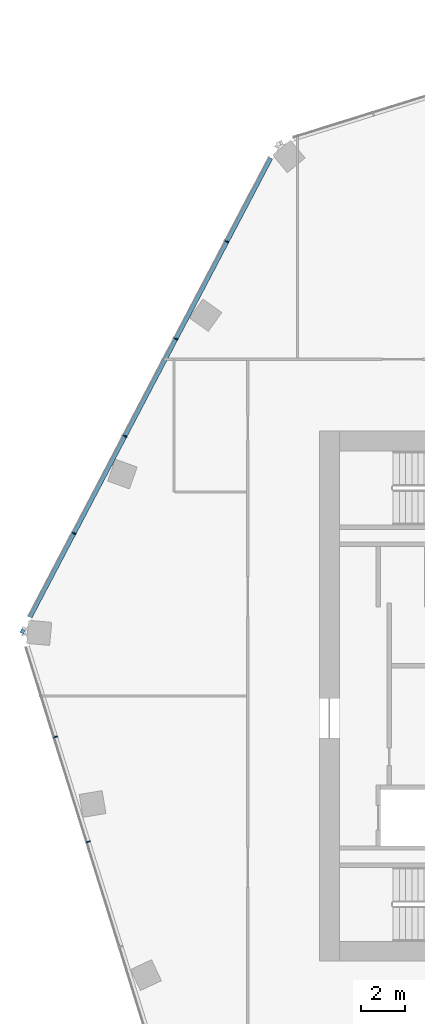
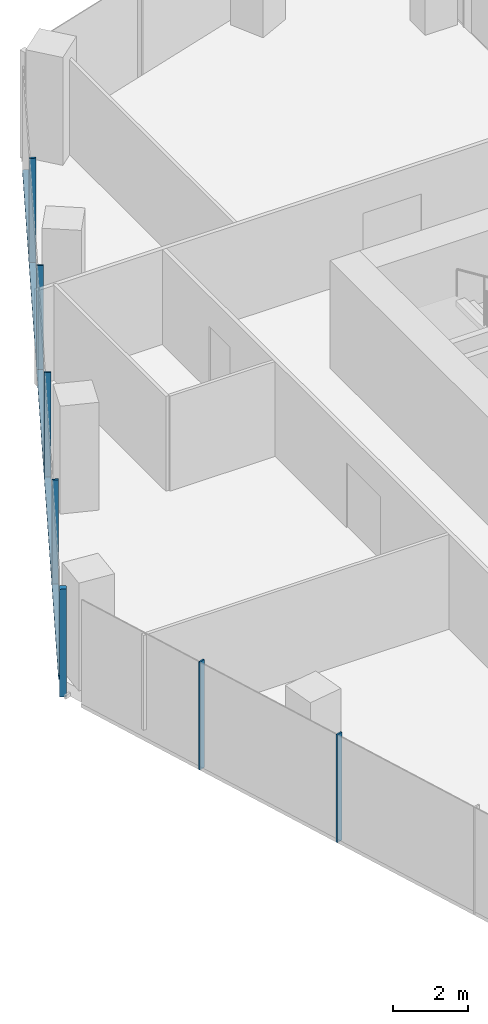
# One storey, part 5 of 23: 8 members, 2 elements without a shape of their own.
"""IFC4 building model written with IfcOpenShell, lengths in metres."""

from ifc_helpers import new_model, si_unit, direction, frame, origin, origin_2d, place, context, subcontext, project, spatial, rectangle, extrude, material, material_profile, profile_set, type_object, element, aggregate, save


model = new_model("IFC4")

# Units and contexts
model_context = context("Model", 3, precision=1e-05, world=origin(), true_north=direction((0.0, 1.0)))
body_context = subcontext(model_context, "Body", "Model", "MODEL_VIEW")
ifc_project = project(units=[si_unit("LENGTHUNIT", "METRE"), si_unit("AREAUNIT", "SQUARE_METRE"), si_unit("VOLUMEUNIT", "CUBIC_METRE"), si_unit("PLANEANGLEUNIT", "RADIAN"), si_unit("MASSUNIT", "GRAM", prefix="KILO")], contexts=[model_context])

# Site, building, storey
site_placement = place(None, origin())
site = spatial("IfcSite", under=ifc_project, at=site_placement, CompositionType="ELEMENT")
building_placement = place(site_placement, origin())
building = spatial("IfcBuilding", under=site, at=building_placement, Name="Orlundy Tower", CompositionType="ELEMENT")
storey_placement = place(building_placement, frame((0.0, 0.0, 257.0)))
storey = spatial("IfcBuildingStorey", under=building, at=storey_placement, Name="L68", CompositionType="ELEMENT", Elevation=257.0)

# Curtain wall, member
ifc_material_1 = material(Name="Aluminium bronze anodised", Category="aluminium")
curtain_wall_type = type_object("IfcCurtainWallType", Name="CW1 wall", PredefinedType="NOTDEFINED", material=ifc_material_1)
curtain_wall_1_placement = place(storey_placement, origin())
curtain_wall_1 = element("IfcCurtainWall", 1, at=curtain_wall_1_placement, inside=storey, type_object=curtain_wall_type, Name="CW1 run 02", PredefinedType="NOTDEFINED")
ifc_material_2 = material(Name="Aluminium bronze anodised", Category="aluminium")
ifc_material_profile_1 = material_profile(ifc_material_2, rectangle(XDim=0.179931640625, YDim=0.179931640625, at=origin_2d()), Name="CW1 corner post 180x180")
ifc_profile_set_1 = profile_set([ifc_material_profile_1], Name="Aluminium bronze anodised")
member_type_1 = type_object("IfcMemberType", Name="CW1 corner post 180x180", PredefinedType="MULLION", material=ifc_profile_set_1)
member_1_placement = place(storey_placement, frame((-32.43701171875, 2.932861328125, -0.39990234375), z_axis=(0.0, 0.0, 1.0), x_axis=(-0.885658998646, 0.464336233904, 0.0)))
member_1 = element("IfcMember", 2, at=member_1_placement, type_object=member_type_1, Name="CW1 mullion 8", PredefinedType="MULLION", context=body_context, shape_type="SweptSolid", body=[
    extrude(rectangle(XDim=0.179931640625, YDim=0.179931640625, at=origin_2d()), origin(), (0.0, 0.0, 1.0), 3.5),
])

# Curtain wall, members
curtain_wall_2_placement = place(storey_placement, origin())
curtain_wall_2 = element("IfcCurtainWall", 3, at=curtain_wall_2_placement, inside=storey, type_object=curtain_wall_type, Name="CW1 run 01", PredefinedType="NOTDEFINED")
ifc_material_3 = material(Name="Aluminium bronze anodised", Category="aluminium")
ifc_material_profile_2 = material_profile(ifc_material_3, rectangle(XDim=0.179931640625, YDim=0.050048828125, at=origin_2d()), Name="CW1 mullion 50x180")
ifc_profile_set_2 = profile_set([ifc_material_profile_2], Name="Aluminium bronze anodised")
member_type_2 = type_object("IfcMemberType", Name="CW1 mullion 50x180", PredefinedType="MULLION", material=ifc_profile_set_2)
member_2_placement = place(storey_placement, frame((-29.4638671875, -6.592529296875, -0.39990234375), z_axis=(0.0, 0.0, 1.0), x_axis=(-0.954580158408, -0.297954226643, 0.0)))
member_2 = element("IfcMember", 4, at=member_2_placement, type_object=member_type_2, Name="CW1 mullion 6", PredefinedType="MULLION", context=body_context, shape_type="SweptSolid", body=[
    extrude(rectangle(XDim=0.179931640625, YDim=0.050048828125, at=origin_2d()), origin(), (0.0, 0.0, 1.0), 3.5),
])
member_3_placement = place(storey_placement, frame((-30.94482421875, -1.84765625, -0.39990234375), z_axis=(0.0, 0.0, 1.0), x_axis=(-0.954580158408, -0.297954226643, 0.0)))
member_3 = element("IfcMember", 5, at=member_3_placement, type_object=member_type_2, Name="CW1 mullion 7", PredefinedType="MULLION", context=body_context, shape_type="SweptSolid", body=[
    extrude(rectangle(XDim=0.179931640625, YDim=0.050048828125, at=origin_2d()), origin(), (0.0, 0.0, 1.0), 3.5),
])
aggregate(curtain_wall_2, [member_2, member_3])

# Member
member_4_placement = place(storey_placement, frame((-30.11181640625, 7.367919921875, -0.39990234375), z_axis=(0.0, 0.0, 1.0), x_axis=(-0.885658998646, 0.464336233904, 0.0)))
member_4 = element("IfcMember", 6, at=member_4_placement, type_object=member_type_2, Name="CW1 mullion 9", PredefinedType="MULLION", context=body_context, shape_type="SweptSolid", body=[
    extrude(rectangle(XDim=0.179931640625, YDim=0.050048828125, at=origin_2d()), origin(), (0.0, 0.0, 1.0), 3.5),
])

member_5_placement = place(storey_placement, frame((-27.8037109375, 11.770263671875, -0.39990234375), z_axis=(0.0, 0.0, 1.0), x_axis=(-0.885658998646, 0.464336233904, 0.0)))
member_5 = element("IfcMember", 7, at=member_5_placement, type_object=member_type_2, Name="CW1 mullion 10", PredefinedType="MULLION", context=body_context, shape_type="SweptSolid", body=[
    extrude(rectangle(XDim=0.179931640625, YDim=0.050048828125, at=origin_2d()), origin(), (0.0, 0.0, 1.0), 3.5),
])

member_6_placement = place(storey_placement, frame((-25.49560546875, 16.17236328125, -0.39990234375), z_axis=(0.0, 0.0, 1.0), x_axis=(-0.885658998646, 0.464336233904, 0.0)))
member_6 = element("IfcMember", 8, at=member_6_placement, type_object=member_type_2, Name="CW1 mullion 11", PredefinedType="MULLION", context=body_context, shape_type="SweptSolid", body=[
    extrude(rectangle(XDim=0.179931640625, YDim=0.050048828125, at=origin_2d()), origin(), (0.0, 0.0, 1.0), 3.5),
])

member_7_placement = place(storey_placement, frame((-23.187744140625, 20.57470703125, -0.39990234375), z_axis=(0.0, 0.0, 1.0), x_axis=(-0.885658998646, 0.464336233904, 0.0)))
member_7 = element("IfcMember", 9, at=member_7_placement, type_object=member_type_2, Name="CW1 mullion 12", PredefinedType="MULLION", context=body_context, shape_type="SweptSolid", body=[
    extrude(rectangle(XDim=0.179931640625, YDim=0.050048828125, at=origin_2d()), origin(), (0.0, 0.0, 1.0), 3.5),
])

ifc_material_4 = material(Name="Aluminium bronze anodised", Category="aluminium")
ifc_material_profile_3 = material_profile(ifc_material_4, rectangle(XDim=0.179931640625, YDim=0.1201171875, at=origin_2d()), Name="CW1 transom 180x120")
ifc_profile_set_3 = profile_set([ifc_material_profile_3], Name="Aluminium bronze anodised")
member_type_3 = type_object("IfcMemberType", Name="CW1 transom 180x120", PredefinedType="USERDEFINED", material=ifc_profile_set_3)
member_8_placement = place(storey_placement, frame((-32.097412109375, 3.580322265625, -0.340087890625), z_axis=(0.464330802245, 0.885661846353, 0.0), x_axis=(-0.885661846353, 0.464330802245, 0.0)))
member_8 = element("IfcMember", 10, at=member_8_placement, type_object=member_type_3, Name="CW1 transom", ObjectType="TRANSOM", PredefinedType="USERDEFINED", context=body_context, shape_type="SweptSolid", body=[
    extrude(rectangle(XDim=0.179931640625, YDim=0.1201171875, at=origin_2d()), origin(), (0.0, 0.0, 1.0), 23.466064453125),
])

aggregate(curtain_wall_1, [member_1, member_4, member_5, member_6, member_7, member_8])

save(model, "model.ifc")
